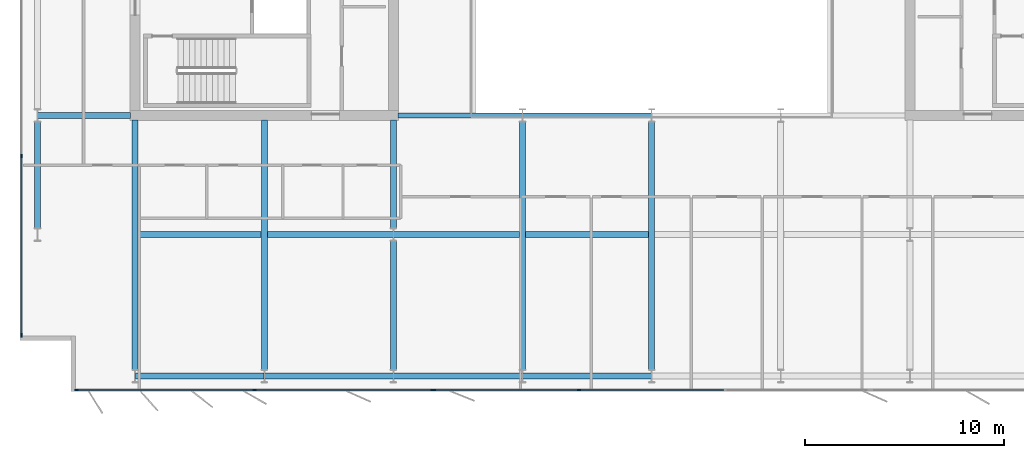
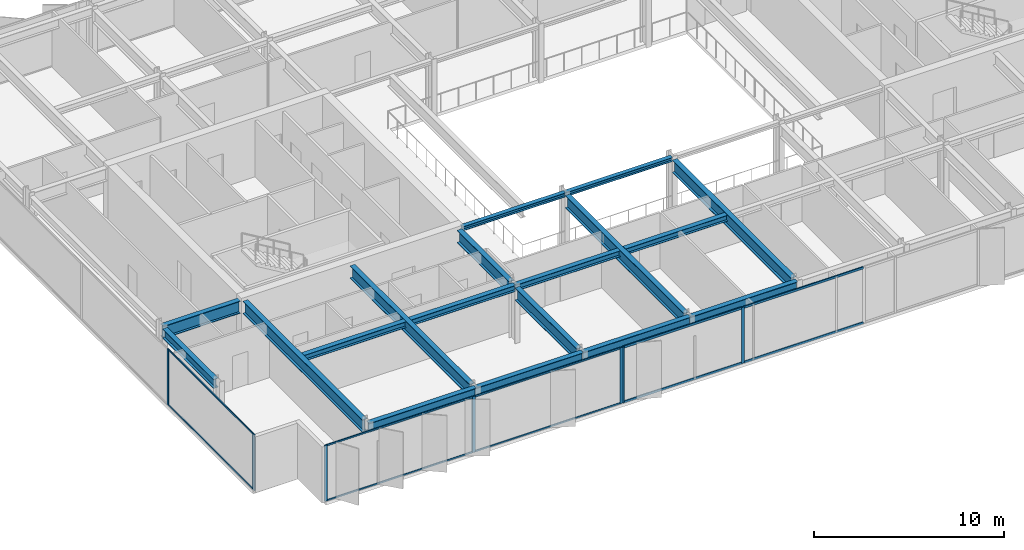
# One storey, part 4 of 19: 18 beams, 17 members, 3 elements without a shape of their own.
"""IFC4 building model written with IfcOpenShell, lengths in metres."""

from ifc_helpers import new_model, si_unit, direction, frame, origin, origin_2d, place, context, subcontext, project, spatial, rectangle, i_section, extrude, material, layer, layer_set, material_profile, profile_set, type_object, element, aggregate, save


model = new_model("IFC4")

# Units and contexts
model_context = context("Model", 3, precision=1e-05, world=origin(), true_north=direction((0.0, 1.0)))
body_context = subcontext(model_context, "Body", "Model", "MODEL_VIEW")
ifc_project = project(units=[si_unit("LENGTHUNIT", "METRE"), si_unit("AREAUNIT", "SQUARE_METRE"), si_unit("VOLUMEUNIT", "CUBIC_METRE"), si_unit("PLANEANGLEUNIT", "RADIAN"), si_unit("MASSUNIT", "GRAM", prefix="KILO")], contexts=[model_context])

# Site, building, storey
site_placement = place(None, origin())
site = spatial("IfcSite", under=ifc_project, at=site_placement, CompositionType="ELEMENT")
building_placement = place(site_placement, origin())
building = spatial("IfcBuilding", under=site, at=building_placement, Name="Putna Gate Headquarters", CompositionType="ELEMENT")
storey_placement = place(building_placement, frame((0.0, 0.0, 267.0)))
storey = spatial("IfcBuildingStorey", under=building, at=storey_placement, Name="L67", CompositionType="ELEMENT", Elevation=267.0)

# Beams
ifc_material_1 = material(Name="Steel S355J2", Category="steel")
ifc_material_profile_1 = material_profile(ifc_material_1, i_section(OverallWidth=0.260009765625, OverallDepth=0.260009765625, WebThickness=0.010009765625, FlangeThickness=0.017578125, at=origin_2d()), Name="Steel S355J2")
ifc_profile_set_1 = profile_set([ifc_material_profile_1], Name="Steel S355J2")
beam_type_1 = type_object("IfcBeamType", Name="BM-ATRIUM-HEB260", PredefinedType="BEAM", material=ifc_profile_set_1)
beam_1_placement = place(storey_placement, frame((26.235107421875, 19.0, 3.4580078125), z_axis=(1.0, 0.0, 0.0), x_axis=(0.0, 1.0, 0.0)))
element("IfcBeam", 1, at=beam_1_placement, inside=storey, type_object=beam_type_1, Name="L67 Atrium Edge Beam AS1", PredefinedType="BEAM", context=body_context, shape_type="SweptSolid", body=[
    extrude(i_section(OverallWidth=0.260009765625, OverallDepth=0.260009765625, WebThickness=0.010009765625, FlangeThickness=0.017578125, at=origin_2d()), origin(), (0.0, 0.0, 1.0), 6.2587890625),
])
beam_2_placement = place(storey_placement, frame((32.506103515625, 19.0, 3.4580078125), z_axis=(1.0, 0.0, 0.0), x_axis=(0.0, 1.0, 0.0)))
element("IfcBeam", 2, at=beam_2_placement, inside=storey, type_object=beam_type_1, Name="L67 Atrium Edge Beam AS2", PredefinedType="BEAM", context=body_context, shape_type="SweptSolid", body=[
    extrude(i_section(OverallWidth=0.260009765625, OverallDepth=0.260009765625, WebThickness=0.010009765625, FlangeThickness=0.017578125, at=origin_2d()), origin(), (0.0, 0.0, 1.0), 6.48779296875),
])
ifc_material_profile_2 = material_profile(ifc_material_1, i_section(OverallWidth=0.300048828125, OverallDepth=0.800048828125, WebThickness=0.017578125, FlangeThickness=0.032958984375, at=origin_2d()), Name="Steel S355J2")
ifc_profile_set_2 = profile_set([ifc_material_profile_2], Name="Steel S355J2")
beam_type_2 = type_object("IfcBeamType", Name="BM-GIRD-P-HEB800", PredefinedType="USERDEFINED", material=ifc_profile_set_2)
beam_3_placement = place(storey_placement, frame((8.0859375, 19.0, 3.18798828125), z_axis=(1.0, 0.0, 0.0), x_axis=(0.0, 1.0, 0.0)))
element("IfcBeam", 3, at=beam_3_placement, inside=storey, type_object=beam_type_2, Name="L67 West Wing Girder Y19", ObjectType="GIRDER", PredefinedType="USERDEFINED", context=body_context, shape_type="SweptSolid", body=[
    extrude(i_section(OverallWidth=0.300048828125, OverallDepth=0.800048828125, WebThickness=0.017578125, FlangeThickness=0.032958984375, at=origin_2d()), origin(), (0.0, 0.0, 1.0), 4.678955078125),
])
for number, where, z_axis, x_axis, name in (
    (4, (13.0, 6.201904296875, 3.18798828125), (0.0, 1.0, 0.0), (-1.0, 0.0, 0.0), "L67 South Primary Girder X13"),
    (5, (19.5, 6.201904296875, 3.18798828125), (0.0, 1.0, 0.0), (-1.0, 0.0, 0.0), "L67 South Primary Girder X19"),
):
    element("IfcBeam", number, at=place(storey_placement, frame(where, z_axis=z_axis, x_axis=x_axis)), inside=storey, type_object=beam_type_2, Name=name, ObjectType="GIRDER", PredefinedType="USERDEFINED", context=body_context, shape_type="SweptSolid", body=[
        extrude(i_section(OverallWidth=0.300048828125, OverallDepth=0.800048828125, WebThickness=0.017578125, FlangeThickness=0.032958984375, at=origin_2d()), origin(), (0.0, 0.0, 1.0), 12.56298828125),
    ])
beam_4_placement = place(storey_placement, frame((26.0, 6.201904296875, 3.18798828125), z_axis=(0.0, 1.0, 0.0), x_axis=(-1.0, 0.0, 0.0)))
element("IfcBeam", 6, at=beam_4_placement, inside=storey, type_object=beam_type_2, Name="L67 South Primary Girder X26-1", ObjectType="GIRDER", PredefinedType="USERDEFINED", context=body_context, shape_type="SweptSolid", body=[
    extrude(i_section(OverallWidth=0.300048828125, OverallDepth=0.800048828125, WebThickness=0.017578125, FlangeThickness=0.032958984375, at=origin_2d()), origin(), (0.0, 0.0, 1.0), 6.47607421875),
])
beam_5_placement = place(storey_placement, frame((26.0, 13.322021484375, 3.18798828125), z_axis=(0.0, 1.0, 0.0), x_axis=(-1.0, 0.0, 0.0)))
element("IfcBeam", 7, at=beam_5_placement, inside=storey, type_object=beam_type_2, Name="L67 South Primary Girder X26-2", ObjectType="GIRDER", PredefinedType="USERDEFINED", context=body_context, shape_type="SweptSolid", body=[
    extrude(i_section(OverallWidth=0.300048828125, OverallDepth=0.800048828125, WebThickness=0.017578125, FlangeThickness=0.032958984375, at=origin_2d()), origin(), (0.0, 0.0, 1.0), 5.44287109375),
])
for number, where, z_axis, x_axis, name in (
    (8, (32.5, 6.201904296875, 3.18798828125), (0.0, 1.0, 0.0), (-1.0, 0.0, 0.0), "L67 South Primary Girder X32"),
    (9, (39.0, 6.201904296875, 3.18798828125), (0.0, 1.0, 0.0), (-1.0, 0.0, 0.0), "L67 South Primary Girder X39"),
):
    element("IfcBeam", number, at=place(storey_placement, frame(where, z_axis=z_axis, x_axis=x_axis)), inside=storey, type_object=beam_type_2, Name=name, ObjectType="GIRDER", PredefinedType="USERDEFINED", context=body_context, shape_type="SweptSolid", body=[
        extrude(i_section(OverallWidth=0.300048828125, OverallDepth=0.800048828125, WebThickness=0.017578125, FlangeThickness=0.032958984375, at=origin_2d()), origin(), (0.0, 0.0, 1.0), 12.47607421875),
    ])
ifc_material_profile_3 = material_profile(ifc_material_1, i_section(OverallWidth=0.300048828125, OverallDepth=0.389892578125, WebThickness=0.010986328125, FlangeThickness=0.01904296875, at=origin_2d()), Name="Steel S355J2")
ifc_profile_set_3 = profile_set([ifc_material_profile_3], Name="Steel S355J2")
beam_type_3 = type_object("IfcBeamType", Name="BM-SEC-Z5-HEA400", PredefinedType="BEAM", material=ifc_profile_set_3)
beam_6_placement = place(storey_placement, frame((13.154052734375, 13.0, 3.39306640625), z_axis=(1.0, 0.0, 0.0), x_axis=(0.0, 1.0, 0.0)))
element("IfcBeam", 10, at=beam_6_placement, inside=storey, type_object=beam_type_3, Name="L67 South Secondary Beam 1", PredefinedType="BEAM", context=body_context, shape_type="SweptSolid", body=[
    extrude(i_section(OverallWidth=0.300048828125, OverallDepth=0.389892578125, WebThickness=0.010986328125, FlangeThickness=0.01904296875, at=origin_2d()), origin(), (0.0, 0.0, 1.0), 6.19189453125),
])
for number, where, z_axis, x_axis, name in (
    (11, (19.654052734375, 13.0, 3.39306640625), (1.0, 0.0, 0.0), (0.0, 1.0, 0.0), "L67 South Secondary Beam 2"),
    (12, (26.006103515625, 13.0, 3.39306640625), (1.0, 0.0, 0.0), (0.0, 1.0, 0.0), "L67 South Secondary Beam 3"),
):
    element("IfcBeam", number, at=place(storey_placement, frame(where, z_axis=z_axis, x_axis=x_axis)), inside=storey, type_object=beam_type_3, Name=name, PredefinedType="BEAM", context=body_context, shape_type="SweptSolid", body=[
        extrude(i_section(OverallWidth=0.300048828125, OverallDepth=0.389892578125, WebThickness=0.010986328125, FlangeThickness=0.01904296875, at=origin_2d()), origin(), (0.0, 0.0, 1.0), 6.33984375),
    ])
beam_7_placement = place(storey_placement, frame((32.654052734375, 13.0, 3.39306640625), z_axis=(1.0, 0.0, 0.0), x_axis=(0.0, 1.0, 0.0)))
element("IfcBeam", 13, at=beam_7_placement, inside=storey, type_object=beam_type_3, Name="L67 South Secondary Beam 4", PredefinedType="BEAM", context=body_context, shape_type="SweptSolid", body=[
    extrude(i_section(OverallWidth=0.300048828125, OverallDepth=0.389892578125, WebThickness=0.010986328125, FlangeThickness=0.01904296875, at=origin_2d()), origin(), (0.0, 0.0, 1.0), 6.19189453125),
])
ifc_material_profile_4 = material_profile(ifc_material_1, i_section(OverallWidth=0.300048828125, OverallDepth=0.590087890625, WebThickness=0.012939453125, FlangeThickness=0.02490234375, at=origin_2d()), Name="Steel S355J2")
ifc_profile_set_4 = profile_set([ifc_material_profile_4], Name="Steel S355J2")
beam_type_4 = type_object("IfcBeamType", Name="BM-SPAN-Z4-HEA600", PredefinedType="SPANDREL", material=ifc_profile_set_4)
for number, where, z_axis, x_axis, name in (
    (14, (13.006103515625, 5.8798828125, 3.29296875), (1.0, 0.0, 0.0), (0.0, 1.0, 0.0), "L67 S Perimeter Spandrel 1"),
    (15, (19.506103515625, 5.8798828125, 3.29296875), (1.0, 0.0, 0.0), (0.0, 1.0, 0.0), "L67 S Perimeter Spandrel 2"),
    (16, (26.006103515625, 5.8798828125, 3.29296875), (1.0, 0.0, 0.0), (0.0, 1.0, 0.0), "L67 S Perimeter Spandrel 3"),
    (17, (32.506103515625, 5.8798828125, 3.29296875), (1.0, 0.0, 0.0), (0.0, 1.0, 0.0), "L67 S Perimeter Spandrel 4"),
):
    element("IfcBeam", number, at=place(storey_placement, frame(where, z_axis=z_axis, x_axis=x_axis)), inside=storey, type_object=beam_type_4, Name=name, PredefinedType="SPANDREL", context=body_context, shape_type="SweptSolid", body=[
        extrude(i_section(OverallWidth=0.300048828125, OverallDepth=0.590087890625, WebThickness=0.012939453125, FlangeThickness=0.02490234375, at=origin_2d()), origin(), (0.0, 0.0, 1.0), 6.48779296875),
    ])
beam_8_placement = place(storey_placement, frame((8.080078125, 13.322021484375, 3.29296875), z_axis=(0.0, 1.0, 0.0), x_axis=(-1.0, 0.0, 0.0)))
element("IfcBeam", 18, at=beam_8_placement, inside=storey, type_object=beam_type_4, Name="L67 W End Spandrel 1", PredefinedType="SPANDREL", context=body_context, shape_type="SweptSolid", body=[
    extrude(i_section(OverallWidth=0.300048828125, OverallDepth=0.590087890625, WebThickness=0.012939453125, FlangeThickness=0.02490234375, at=origin_2d()), origin(), (0.0, 0.0, 1.0), 5.35595703125),
])

# Curtain wall, members
ifc_material_2 = material(Name="Anodised bronze aluminium curtain wall", Category="aluminium")
ifc_layer_1 = layer(ifc_material_2, 0.179931640625)
ifc_layer_set_1 = layer_set([ifc_layer_1], Name="Anodised bronze aluminium curtain wall")
curtain_wall_type_1 = type_object("IfcCurtainWallType", Name="CW-SYS-Z5", PredefinedType="USERDEFINED", material=ifc_layer_set_1)
curtain_wall_1_placement = place(storey_placement, origin())
curtain_wall_1 = element("IfcCurtainWall", 19, at=curtain_wall_1_placement, inside=storey, type_object=curtain_wall_type_1, Name="L67 South West Curtain Wall", ObjectType="STICK CURTAIN WALL", PredefinedType="USERDEFINED")
ifc_material_3 = material(Name="Anodised bronze aluminium EN AW-6060", Category="aluminium")
ifc_material_profile_5 = material_profile(ifc_material_3, rectangle(XDim=0.070068359375, YDim=0.179931640625, at=origin_2d()), Name="Anodised bronze aluminium EN AW-6060")
ifc_profile_set_5 = profile_set([ifc_material_profile_5], Name="Anodised bronze aluminium EN AW-6060")
member_type_1 = type_object("IfcMemberType", Name="MULL-CWM-5", PredefinedType="MULLION", material=ifc_profile_set_5)
member_1_placement = place(storey_placement, frame((10.034912109375, 5.179931640625, 0.0), z_axis=(0.0, 0.0, 1.0), x_axis=(0.0, 1.0, 0.0)))
member_1 = element("IfcMember", 20, at=member_1_placement, type_object=member_type_1, Name="CWS-5 mullion 1", PredefinedType="MULLION", context=body_context, shape_type="SweptSolid", body=[
    extrude(rectangle(XDim=0.070068359375, YDim=0.179931640625, at=origin_2d()), origin(), (0.0, 0.0, 1.0), 3.587890625),
])
member_2_placement = place(storey_placement, frame((19.0, 5.179931640625, 0.0), z_axis=(0.0, 0.0, 1.0), x_axis=(0.0, 1.0, 0.0)))
member_2 = element("IfcMember", 21, at=member_2_placement, type_object=member_type_1, Name="CWS-5 mullion 2", PredefinedType="MULLION", context=body_context, shape_type="SweptSolid", body=[
    extrude(rectangle(XDim=0.070068359375, YDim=0.179931640625, at=origin_2d()), origin(), (0.0, 0.0, 1.0), 3.587890625),
])
member_3_placement = place(storey_placement, frame((27.965087890625, 5.179931640625, 0.0), z_axis=(0.0, 0.0, 1.0), x_axis=(0.0, 1.0, 0.0)))
member_3 = element("IfcMember", 22, at=member_3_placement, type_object=member_type_1, Name="CWS-5 mullion 3", PredefinedType="MULLION", context=body_context, shape_type="SweptSolid", body=[
    extrude(rectangle(XDim=0.070068359375, YDim=0.179931640625, at=origin_2d()), origin(), (0.0, 0.0, 1.0), 3.587890625),
])

curtain_wall_2_placement = place(storey_placement, origin())
curtain_wall_2 = element("IfcCurtainWall", 23, at=curtain_wall_2_placement, inside=storey, type_object=curtain_wall_type_1, Name="L67 West Curtain Wall", ObjectType="STICK CURTAIN WALL", PredefinedType="USERDEFINED")
member_4_placement = place(storey_placement, frame((7.280029296875, 7.93505859375, 0.0), z_axis=(0.0, 0.0, 1.0), x_axis=(-1.0, 0.0, 0.0)))
member_4 = element("IfcMember", 24, at=member_4_placement, type_object=member_type_1, Name="CWS-5 mullion 1", PredefinedType="MULLION", context=body_context, shape_type="SweptSolid", body=[
    extrude(rectangle(XDim=0.070068359375, YDim=0.179931640625, at=origin_2d()), origin(), (0.0, 0.0, 1.0), 3.587890625),
])
member_5_placement = place(storey_placement, frame((7.280029296875, 16.949951171875, 0.0), z_axis=(0.0, 0.0, 1.0), x_axis=(-1.0, 0.0, 0.0)))
member_5 = element("IfcMember", 25, at=member_5_placement, type_object=member_type_1, Name="CWS-5 mullion 2", PredefinedType="MULLION", context=body_context, shape_type="SweptSolid", body=[
    extrude(rectangle(XDim=0.070068359375, YDim=0.179931640625, at=origin_2d()), origin(), (0.0, 0.0, 1.0), 3.587890625),
])

ifc_layer_2 = layer(ifc_material_2, 0.179931640625)
ifc_layer_set_2 = layer_set([ifc_layer_2], Name="Anodised bronze aluminium curtain wall")
curtain_wall_type_2 = type_object("IfcCurtainWallType", Name="CW-SYS-ATR", PredefinedType="USERDEFINED", material=ifc_layer_set_2)
curtain_wall_3_placement = place(storey_placement, origin())
curtain_wall_3 = element("IfcCurtainWall", 26, at=curtain_wall_3_placement, inside=storey, type_object=curtain_wall_type_2, Name="L67 South Atrium Clear Glazing", ObjectType="ATRIUM GLAZING", PredefinedType="USERDEFINED")
ifc_material_profile_6 = material_profile(ifc_material_3, rectangle(XDim=0.070068359375, YDim=0.179931640625, at=origin_2d()), Name="Anodised bronze aluminium EN AW-6060")
ifc_profile_set_6 = profile_set([ifc_material_profile_6], Name="Anodised bronze aluminium EN AW-6060")
member_type_2 = type_object("IfcMemberType", Name="MULL-CWM-AT", PredefinedType="MULLION", material=ifc_profile_set_6)
member_6_placement = place(storey_placement, frame((28.034912109375, 5.179931640625, 0.0), z_axis=(0.0, 0.0, 1.0), x_axis=(0.0, 1.0, 0.0)))
member_6 = element("IfcMember", 27, at=member_6_placement, type_object=member_type_2, Name="CWS-AT mullion 1", PredefinedType="MULLION", context=body_context, shape_type="SweptSolid", body=[
    extrude(rectangle(XDim=0.070068359375, YDim=0.179931640625, at=origin_2d()), origin(), (0.0, 0.0, 1.0), 3.587890625),
])
member_7_placement = place(storey_placement, frame((35.333251953125, 5.179931640625, 0.0), z_axis=(0.0, 0.0, 1.0), x_axis=(0.0, 1.0, 0.0)))
member_7 = element("IfcMember", 28, at=member_7_placement, type_object=member_type_2, Name="CWS-AT mullion 2", PredefinedType="MULLION", context=body_context, shape_type="SweptSolid", body=[
    extrude(rectangle(XDim=0.070068359375, YDim=0.179931640625, at=origin_2d()), origin(), (0.0, 0.0, 1.0), 3.587890625),
])

# Member
ifc_material_profile_7 = material_profile(ifc_material_3, rectangle(XDim=0.06005859375, YDim=0.10009765625, at=origin_2d()), Name="Anodised bronze aluminium EN AW-6060")
ifc_profile_set_7 = profile_set([ifc_material_profile_7], Name="Anodised bronze aluminium EN AW-6060")
member_type_3 = type_object("IfcMemberType", Name="TRAN-CWT-5", PredefinedType="USERDEFINED", material=ifc_profile_set_7)
member_8_placement = place(storey_placement, frame((10.070068359375, 5.179931640625, 0.030029296875), z_axis=(1.0, 0.0, 0.0), x_axis=(0.0, 1.0, 0.0)))
member_8 = element("IfcMember", 29, at=member_8_placement, type_object=member_type_3, Name="CWS-5 transom 1.1", ObjectType="TRANSOM", PredefinedType="USERDEFINED", context=body_context, shape_type="SweptSolid", body=[
    extrude(rectangle(XDim=0.06005859375, YDim=0.10009765625, at=origin_2d()), origin(), (0.0, 0.0, 1.0), 8.89501953125),
])

member_9_placement = place(storey_placement, frame((10.070068359375, 5.179931640625, 3.55810546875), z_axis=(1.0, 0.0, 0.0), x_axis=(0.0, 1.0, 0.0)))
member_9 = element("IfcMember", 30, at=member_9_placement, type_object=member_type_3, Name="CWS-5 transom 1.2", ObjectType="TRANSOM", PredefinedType="USERDEFINED", context=body_context, shape_type="SweptSolid", body=[
    extrude(rectangle(XDim=0.06005859375, YDim=0.10009765625, at=origin_2d()), origin(), (0.0, 0.0, 1.0), 8.89501953125),
])

member_10_placement = place(storey_placement, frame((19.034912109375, 5.179931640625, 0.030029296875), z_axis=(1.0, 0.0, 0.0), x_axis=(0.0, 1.0, 0.0)))
member_10 = element("IfcMember", 31, at=member_10_placement, type_object=member_type_3, Name="CWS-5 transom 2.1", ObjectType="TRANSOM", PredefinedType="USERDEFINED", context=body_context, shape_type="SweptSolid", body=[
    extrude(rectangle(XDim=0.06005859375, YDim=0.10009765625, at=origin_2d()), origin(), (0.0, 0.0, 1.0), 8.89501953125),
])

member_11_placement = place(storey_placement, frame((19.034912109375, 5.179931640625, 3.55810546875), z_axis=(1.0, 0.0, 0.0), x_axis=(0.0, 1.0, 0.0)))
member_11 = element("IfcMember", 32, at=member_11_placement, type_object=member_type_3, Name="CWS-5 transom 2.2", ObjectType="TRANSOM", PredefinedType="USERDEFINED", context=body_context, shape_type="SweptSolid", body=[
    extrude(rectangle(XDim=0.06005859375, YDim=0.10009765625, at=origin_2d()), origin(), (0.0, 0.0, 1.0), 8.89501953125),
])

aggregate(curtain_wall_1, [member_1, member_2, member_3, member_8, member_9, member_10, member_11])

member_12_placement = place(storey_placement, frame((7.280029296875, 7.969970703125, 0.030029296875), z_axis=(0.0, 1.0, 0.0), x_axis=(-1.0, 0.0, 0.0)))
member_12 = element("IfcMember", 33, at=member_12_placement, type_object=member_type_3, Name="CWS-5 transom 1.1", ObjectType="TRANSOM", PredefinedType="USERDEFINED", context=body_context, shape_type="SweptSolid", body=[
    extrude(rectangle(XDim=0.06005859375, YDim=0.10009765625, at=origin_2d()), origin(), (0.0, 0.0, 1.0), 8.945068359375),
])

member_13_placement = place(storey_placement, frame((7.280029296875, 7.969970703125, 3.55810546875), z_axis=(0.0, 1.0, 0.0), x_axis=(-1.0, 0.0, 0.0)))
member_13 = element("IfcMember", 34, at=member_13_placement, type_object=member_type_3, Name="CWS-5 transom 1.2", ObjectType="TRANSOM", PredefinedType="USERDEFINED", context=body_context, shape_type="SweptSolid", body=[
    extrude(rectangle(XDim=0.06005859375, YDim=0.10009765625, at=origin_2d()), origin(), (0.0, 0.0, 1.0), 8.945068359375),
])

aggregate(curtain_wall_2, [member_4, member_5, member_12, member_13])

ifc_material_profile_8 = material_profile(ifc_material_3, rectangle(XDim=0.070068359375, YDim=0.139892578125, at=origin_2d()), Name="Anodised bronze aluminium EN AW-6060")
ifc_profile_set_8 = profile_set([ifc_material_profile_8], Name="Anodised bronze aluminium EN AW-6060")
member_type_4 = type_object("IfcMemberType", Name="TRAN-CWT-AT", PredefinedType="USERDEFINED", material=ifc_profile_set_8)
member_14_placement = place(storey_placement, frame((28.070068359375, 5.179931640625, 0.034912109375), z_axis=(1.0, 0.0, 0.0), x_axis=(0.0, 1.0, 0.0)))
member_14 = element("IfcMember", 35, at=member_14_placement, type_object=member_type_4, Name="CWS-AT transom 1.1", ObjectType="TRANSOM", PredefinedType="USERDEFINED", context=body_context, shape_type="SweptSolid", body=[
    extrude(rectangle(XDim=0.070068359375, YDim=0.139892578125, at=origin_2d()), origin(), (0.0, 0.0, 1.0), 7.228271484375),
])

member_15_placement = place(storey_placement, frame((28.070068359375, 5.179931640625, 3.552978515625), z_axis=(1.0, 0.0, 0.0), x_axis=(0.0, 1.0, 0.0)))
member_15 = element("IfcMember", 36, at=member_15_placement, type_object=member_type_4, Name="CWS-AT transom 1.2", ObjectType="TRANSOM", PredefinedType="USERDEFINED", context=body_context, shape_type="SweptSolid", body=[
    extrude(rectangle(XDim=0.070068359375, YDim=0.139892578125, at=origin_2d()), origin(), (0.0, 0.0, 1.0), 7.228271484375),
])

member_16_placement = place(storey_placement, frame((35.368408203125, 5.179931640625, 0.034912109375), z_axis=(1.0, 0.0, 0.0), x_axis=(0.0, 1.0, 0.0)))
member_16 = element("IfcMember", 37, at=member_16_placement, type_object=member_type_4, Name="CWS-AT transom 2.1", ObjectType="TRANSOM", PredefinedType="USERDEFINED", context=body_context, shape_type="SweptSolid", body=[
    extrude(rectangle(XDim=0.070068359375, YDim=0.139892578125, at=origin_2d()), origin(), (0.0, 0.0, 1.0), 7.26318359375),
])

member_17_placement = place(storey_placement, frame((35.368408203125, 5.179931640625, 3.552978515625), z_axis=(1.0, 0.0, 0.0), x_axis=(0.0, 1.0, 0.0)))
member_17 = element("IfcMember", 38, at=member_17_placement, type_object=member_type_4, Name="CWS-AT transom 2.2", ObjectType="TRANSOM", PredefinedType="USERDEFINED", context=body_context, shape_type="SweptSolid", body=[
    extrude(rectangle(XDim=0.070068359375, YDim=0.139892578125, at=origin_2d()), origin(), (0.0, 0.0, 1.0), 7.26318359375),
])

aggregate(curtain_wall_3, [member_6, member_7, member_14, member_15, member_16, member_17])

save(model, "model.ifc")
